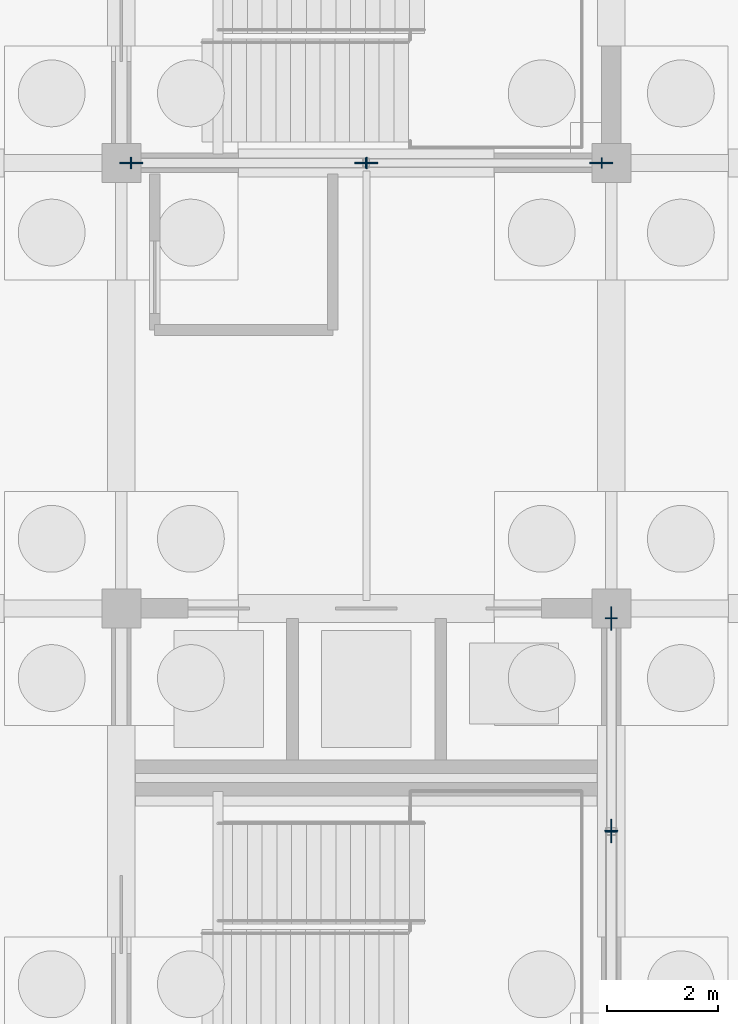
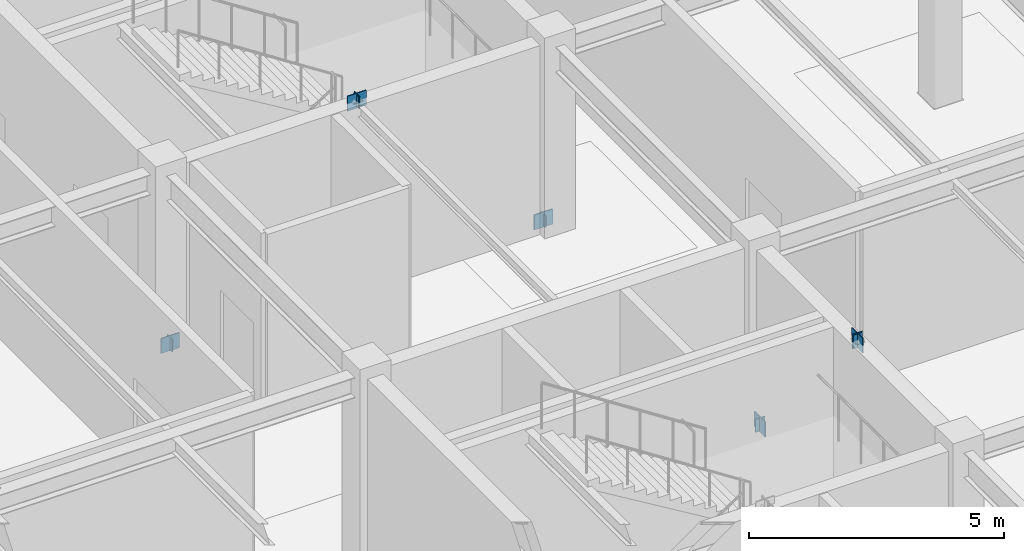
# One storey, part 48 of 72: 12 plates.
"""IFC4 building model written with IfcOpenShell, lengths in metres."""

from ifc_helpers import new_model, si_unit, direction, frame, origin, origin_2d, place, context, subcontext, project, spatial, rectangle, extrude, material, layer, layer_set, type_object, element, save


model = new_model("IFC4")

# Units and contexts
model_context = context("Model", 3, precision=1e-05, world=origin(), true_north=direction((0.0, 1.0)))
body_context = subcontext(model_context, "Body", "Model", "MODEL_VIEW")
ifc_project = project(units=[si_unit("LENGTHUNIT", "METRE"), si_unit("AREAUNIT", "SQUARE_METRE"), si_unit("VOLUMEUNIT", "CUBIC_METRE"), si_unit("PLANEANGLEUNIT", "RADIAN"), si_unit("MASSUNIT", "GRAM", prefix="KILO")], contexts=[model_context])

# Site, building, storey
site_placement = place(None, origin())
site = spatial("IfcSite", under=ifc_project, at=site_placement, CompositionType="ELEMENT")
building_placement = place(site_placement, origin())
building = spatial("IfcBuilding", under=site, at=building_placement, Name="Zhaolan Boulevard Law Courts", CompositionType="ELEMENT")
storey_placement = place(building_placement, frame((0.0, 0.0, -4.800048828125)))
storey = spatial("IfcBuildingStorey", under=building, at=storey_placement, Name="B1", CompositionType="ELEMENT", Elevation=-4.800048828125)

# Plates
ifc_material_1 = material(Name="Structural steel Q355B", Category="steel")
ifc_layer_1 = layer(ifc_material_1, 0.02392578125)
ifc_layer_set_1 = layer_set([ifc_layer_1])
plate_type_1 = type_object("IfcPlateType", Name="BRACE GUSSET PLATE 24", PredefinedType="SHEET", material=ifc_layer_set_1)
for number, where, z_axis, x_axis, name in (
    (1, (26.39990234375, 53.820068359375, 0.02001953125), (0.0, 0.0, 1.0), (0.0, 1.0, 0.0), "Brace Gusset Connection Plate GP-W1-B1-EA2"),
    (2, (26.39990234375, 50.0, 4.33984375), (0.0, 0.0, 1.0), (0.0, 1.0, 0.0), "Brace Gusset Connection Plate GP-W1-B1-EAPX"),
    (3, (17.780029296875, 62.0, 0.02001953125), (0.0, 0.0, 1.0), (1.0, 0.0, 0.0), "Brace Gusset Connection Plate GP-W2-B1-SA1"),
    (4, (26.219970703125, 62.0, 0.02001953125), (0.0, 0.0, 1.0), (1.0, 0.0, 0.0), "Brace Gusset Connection Plate GP-W2-B1-SA2"),
    (5, (22.0, 62.0, 4.33984375), (0.0, 0.0, 1.0), (1.0, 0.0, 0.0), "Brace Gusset Connection Plate GP-W2-B1-SAPX"),
):
    element("IfcPlate", number, at=place(storey_placement, frame(where, z_axis=z_axis, x_axis=x_axis)), inside=storey, type_object=plate_type_1, Name=name, PredefinedType="SHEET", context=body_context, shape_type="SweptSolid", body=[
        extrude(rectangle(XDim=0.419921875, YDim=0.02392578125, at=origin_2d()), origin(), (0.0, 0.0, 1.0), 0.360107421875),
    ])
ifc_material_2 = material(Name="Structural steel Q355B", Category="steel")
ifc_layer_2 = layer(ifc_material_2, 0.02001953125)
ifc_layer_set_2 = layer_set([ifc_layer_2])
plate_type_2 = type_object("IfcPlateType", Name="END CAP PLATE 20", PredefinedType="SHEET", material=ifc_layer_set_2)
plate_placement = place(storey_placement, frame((26.39990234375, 50.00537109375, 4.3525390625), z_axis=(0.0, 0.0, 1.0), x_axis=(0.0, 1.0, 0.0)))
element("IfcPlate", 6, at=plate_placement, inside=storey, type_object=plate_type_2, Name="Hollow Section End-Cap Plate ECP-1052", PredefinedType="SHEET", context=body_context, shape_type="SweptSolid", body=[
    extrude(rectangle(XDim=0.02001953125, YDim=0.22998046875, at=origin_2d()), origin(), (0.0, 0.0, 1.0), 0.346923828125),
])
for number, where, z_axis, x_axis, name in (
    (7, (26.39990234375, 53.8251953125, 0.03564453125), (0.0, 0.0, 1.0), (0.0, -1.0, 0.0), "Hollow Section End-Cap Plate ECP-1053"),
    (8, (26.39990234375, 49.99462890625, 4.36767578125), (0.0, 0.0, 1.0), (0.0, -1.0, 0.0), "Hollow Section End-Cap Plate ECP-1054"),
):
    element("IfcPlate", number, at=place(storey_placement, frame(where, z_axis=z_axis, x_axis=x_axis)), inside=storey, type_object=plate_type_2, Name=name, PredefinedType="SHEET", context=body_context, shape_type="SweptSolid", body=[
        extrude(rectangle(XDim=0.02001953125, YDim=0.2099609375, at=origin_2d()), origin(), (0.0, 0.0, 1.0), 0.31689453125),
    ])
for number, where, z_axis, x_axis, name in (
    (9, (17.7744140625, 62.0, 0.0439453125), (0.0, 0.0, 1.0), (1.0, 0.0, 0.0), "Hollow Section End-Cap Plate ECP-1139"),
    (10, (22.005615234375, 62.0, 4.375), (0.0, 0.0, 1.0), (1.0, 0.0, 0.0), "Hollow Section End-Cap Plate ECP-1140"),
):
    element("IfcPlate", number, at=place(storey_placement, frame(where, z_axis=z_axis, x_axis=x_axis)), inside=storey, type_object=plate_type_2, Name=name, PredefinedType="SHEET", context=body_context, shape_type="SweptSolid", body=[
        extrude(rectangle(XDim=0.02001953125, YDim=0.2099609375, at=origin_2d()), origin(), (0.0, 0.0, 1.0), 0.301025390625),
    ])
for number, where, z_axis, x_axis, name in (
    (11, (26.2255859375, 62.0, 0.058349609375), (0.0, 0.0, 1.0), (-1.0, 0.0, 0.0), "Hollow Section End-Cap Plate ECP-1141"),
    (12, (21.994384765625, 62.0, 4.3896484375), (0.0, 0.0, 1.0), (-1.0, 0.0, 0.0), "Hollow Section End-Cap Plate ECP-1142"),
):
    element("IfcPlate", number, at=place(storey_placement, frame(where, z_axis=z_axis, x_axis=x_axis)), inside=storey, type_object=plate_type_2, Name=name, PredefinedType="SHEET", context=body_context, shape_type="SweptSolid", body=[
        extrude(rectangle(XDim=0.02001953125, YDim=0.18994140625, at=origin_2d()), origin(), (0.0, 0.0, 1.0), 0.27197265625),
    ])

save(model, "model.ifc")
